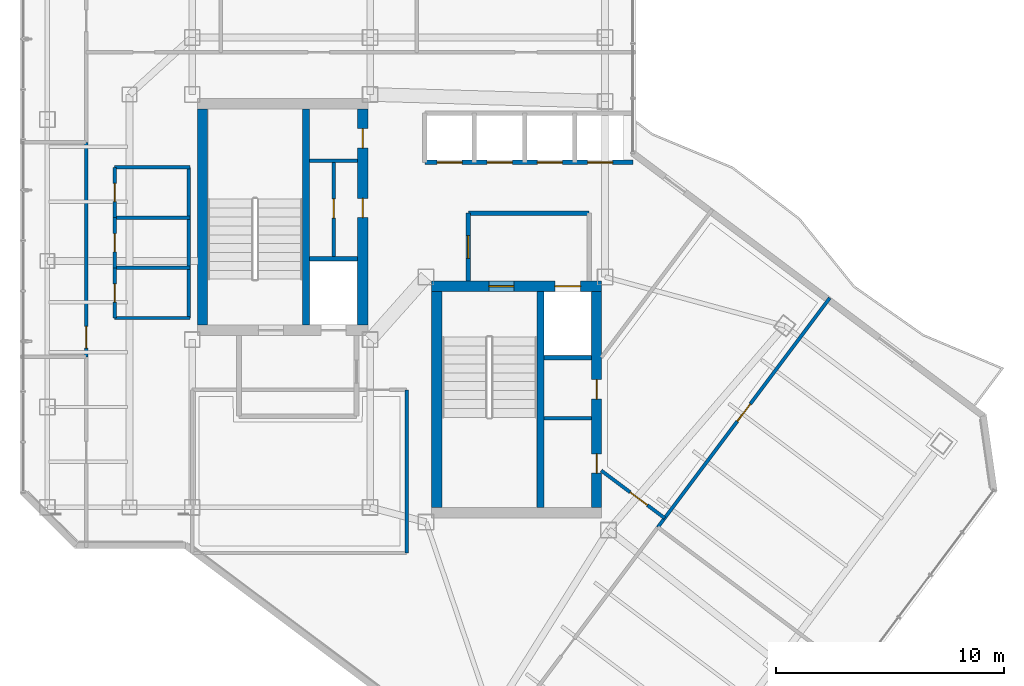
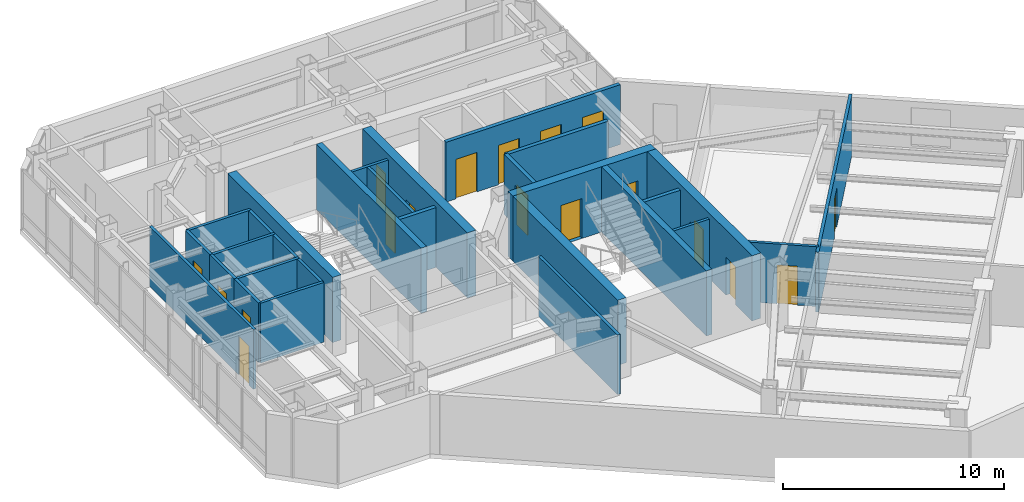
# One storey, part 20 of 25: 27 walls, 18 doors, 18 openings.
"""IFC4 building model written with IfcOpenShell, lengths in metres."""

from ifc_helpers import new_model, si_unit, direction, frame, frame_2d, origin, place, context, subcontext, project, spatial, rectangle, extrude, material, layer, layer_set, type_object, element, fill, save


model = new_model("IFC4")

# Units and contexts
model_context = context("Model", 3, precision=1e-05, world=origin(), true_north=direction((0.0, 1.0)))
body_context = subcontext(model_context, "Body", "Model", "MODEL_VIEW")
ifc_project = project(units=[si_unit("LENGTHUNIT", "METRE"), si_unit("AREAUNIT", "SQUARE_METRE"), si_unit("VOLUMEUNIT", "CUBIC_METRE"), si_unit("PLANEANGLEUNIT", "RADIAN"), si_unit("MASSUNIT", "GRAM", prefix="KILO")], contexts=[model_context])

# Site, building, storey
site_placement = place(None, origin())
site = spatial("IfcSite", under=ifc_project, at=site_placement, CompositionType="ELEMENT")
building_placement = place(site_placement, origin())
building = spatial("IfcBuilding", under=site, at=building_placement, Name="Hatsunagi Terrace Concourse", CompositionType="ELEMENT")
storey_placement = place(building_placement, frame((0.0, 0.0, 231.14990234375)))
storey = spatial("IfcBuildingStorey", under=building, at=storey_placement, Name="L61", CompositionType="ELEMENT", Elevation=231.14990234375)

# Wall
ifc_material_1 = material(Name="Concrete Fc42", Category="concrete")
ifc_layer_1 = layer(ifc_material_1, 0.449951171875)
ifc_layer_set_1 = layer_set([ifc_layer_1], Name="CoreShearWall_Fc42_450")
wall_type_1 = type_object("IfcWallType", Name="CoreShearWall_Fc42_450", PredefinedType="SHEAR", material=ifc_layer_set_1)
wall_1_placement = place(storey_placement, frame((25.9951171875, 33.18994140625, 0.0), z_axis=(0.0, 0.0, 1.0), x_axis=(0.0, 1.0, 0.0)))
element("IfcWall", 1, at=wall_1_placement, inside=storey, type_object=wall_type_1, Name="Core A Shear Wall W L61", PredefinedType="SHEAR", context=body_context, shape_type="SweptSolid", body=[
    extrude(rectangle(XDim=9.47998046875, YDim=0.449951171875, at=frame_2d((4.739990234375, 0.0))), origin(), (0.0, 0.0, 1.0), 3.60009765625),
])

# Wall, openings, doors
wall_2_placement = place(storey_placement, frame((33.02490234375, 33.18994140625, 0.0), z_axis=(0.0, 0.0, 1.0), x_axis=(0.0, 1.0, 0.0)))
wall_2 = element("IfcWall", 2, at=wall_2_placement, inside=storey, type_object=wall_type_1, Name="Core A Shear Wall E L61", PredefinedType="SHEAR", context=body_context, shape_type="SweptSolid", body=[
    extrude(rectangle(XDim=9.47998046875, YDim=0.449951171875, at=frame_2d((4.739990234375, 0.0))), origin(), (0.0, 0.0, 1.0), 3.60009765625),
])
opening_1_placement = place(wall_2_placement, frame((4.7099609375, 0.0, 0.0)))
opening_1 = element("IfcOpeningElement", 3, at=opening_1_placement, cuts=wall_2, Name="Opening DR-085", PredefinedType="OPENING", context=body_context, shape_type="SweptSolid", body=[
    extrude(rectangle(XDim=0.85009765625, YDim=2.080078125, at=frame_2d((0.425048828125, 1.0400390625))), frame((0.0, 0.23486328125, 0.0), z_axis=(0.0, -1.0, 0.0), x_axis=(1.0, 0.0, 0.0)), (0.0, 0.0, 1.0), 0.469970703125),
])
opening_2_placement = place(wall_2_placement, frame((7.760009765625, 0.0, 0.0)))
opening_2 = element("IfcOpeningElement", 4, at=opening_2_placement, cuts=wall_2, Name="Opening DR-085", PredefinedType="OPENING", context=body_context, shape_type="SweptSolid", body=[
    extrude(rectangle(XDim=0.85009765625, YDim=2.080078125, at=frame_2d((0.425048828125, 1.0400390625))), frame((0.0, 0.23486328125, 0.0), z_axis=(0.0, -1.0, 0.0), x_axis=(1.0, 0.0, 0.0)), (0.0, 0.0, 1.0), 0.469970703125),
])
ifc_material_2 = material(Name="Painted steel", Category="steel")
door_type_1 = type_object("IfcDoorType", Name="RiserAccessDoor_EI60_850", OperationType="NOTDEFINED", PredefinedType="DOOR", material=ifc_material_2)
door_1_placement = place(opening_1_placement, origin())
door_1 = element("IfcDoor", 5, at=door_1_placement, inside=storey, type_object=door_type_1, Name="Core A Riser Door L61-1", OperationType="SINGLE_SWING_LEFT", OverallHeight=2.080078125, OverallWidth=0.85009765625, PredefinedType="DOOR", context=body_context, shape_type="SweptSolid", body=[
    extrude(rectangle(XDim=0.85009765625, YDim=2.080078125, at=frame_2d((0.425048828125, 1.0400390625))), frame((0.0, 0.02490234375, 0.0), z_axis=(0.0, -1.0, 0.0), x_axis=(1.0, 0.0, 0.0)), (0.0, 0.0, 1.0), 0.050048828125),
])
fill(opening_1, door_1)
door_2_placement = place(opening_2_placement, origin())
door_2 = element("IfcDoor", 6, at=door_2_placement, inside=storey, type_object=door_type_1, Name="Core A Riser Door L61-2", OperationType="SINGLE_SWING_LEFT", OverallHeight=2.080078125, OverallWidth=0.85009765625, PredefinedType="DOOR", context=body_context, shape_type="SweptSolid", body=[
    extrude(rectangle(XDim=0.85009765625, YDim=2.080078125, at=frame_2d((0.425048828125, 1.0400390625))), frame((0.0, 0.02490234375, 0.0), z_axis=(0.0, -1.0, 0.0), x_axis=(1.0, 0.0, 0.0)), (0.0, 0.0, 1.0), 0.050048828125),
])
fill(opening_2, door_2)

wall_3_placement = place(storey_placement, frame((36.0400390625, 34.89501953125, 0.0), z_axis=(0.0, 0.0, 1.0), x_axis=(1.0, 0.0, 0.0)))
wall_3 = element("IfcWall", 7, at=wall_3_placement, inside=storey, type_object=wall_type_1, Name="Core B Shear Wall N L61", PredefinedType="SHEAR", context=body_context, shape_type="SweptSolid", body=[
    extrude(rectangle(XDim=7.4599609375, YDim=0.449951171875, at=frame_2d((3.72998046875, 0.0))), origin(), (0.0, 0.0, 1.0), 3.60009765625),
])
opening_3_placement = place(wall_3_placement, frame((2.510009765625, 0.0, 0.0)))
opening_3 = element("IfcOpeningElement", 8, at=opening_3_placement, cuts=wall_3, Name="Opening DR-110S", PredefinedType="OPENING", context=body_context, shape_type="SweptSolid", body=[
    extrude(rectangle(XDim=1.10009765625, YDim=2.199951171875, at=frame_2d((0.550048828125, 1.10009765625))), frame((0.0, 0.23486328125, 0.0), z_axis=(0.0, -1.0, 0.0), x_axis=(1.0, 0.0, 0.0)), (0.0, 0.0, 1.0), 0.469970703125),
])
opening_4_placement = place(wall_3_placement, frame((5.409912109375, 0.0, 0.0)))
opening_4 = element("IfcOpeningElement", 9, at=opening_4_placement, cuts=wall_3, Name="Opening LD-02", PredefinedType="OPENING", context=body_context, shape_type="SweptSolid", body=[
    extrude(rectangle(XDim=1.1201171875, YDim=2.14990234375, at=frame_2d((0.56005859375, 1.074951171875))), frame((0.0, 0.23486328125, 0.0), z_axis=(0.0, -1.0, 0.0), x_axis=(1.0, 0.0, 0.0)), (0.0, 0.0, 1.0), 0.469970703125),
])
ifc_material_3 = material(Name="Stainless steel", Category="steel")
door_type_2 = type_object("IfcDoorType", Name="LiftLandingDoor_LD02", OperationType="SLIDING_TO_RIGHT", PredefinedType="USERDEFINED", material=ifc_material_3)
door_3_placement = place(opening_4_placement, origin())
door_3 = element("IfcDoor", 10, at=door_3_placement, inside=storey, type_object=door_type_2, Name="Lift landing door FF-02 L61", ObjectType="SLIDING_LANDING_DOOR", OperationType="SLIDING_TO_RIGHT", OverallHeight=2.14990234375, OverallWidth=1.1201171875, PredefinedType="USERDEFINED", context=body_context, shape_type="SweptSolid", body=[
    extrude(rectangle(XDim=1.1201171875, YDim=2.14990234375, at=frame_2d((0.56005859375, 1.074951171875))), frame((0.0, 0.02490234375, 0.0), z_axis=(0.0, -1.0, 0.0), x_axis=(1.0, 0.0, 0.0)), (0.0, 0.0, 1.0), 0.050048828125),
])
fill(opening_4, door_3)
ifc_material_4 = material(Name="Painted steel", Category="steel")
door_type_3 = type_object("IfcDoorType", Name="StairFireDoor_EI60_1100", OperationType="NOTDEFINED", PredefinedType="DOOR", material=ifc_material_4)
door_4_placement = place(opening_3_placement, origin())
door_4 = element("IfcDoor", 11, at=door_4_placement, inside=storey, type_object=door_type_3, Name="Stair ST-B Exit Door L61", OperationType="SINGLE_SWING_RIGHT", OverallHeight=2.199951171875, OverallWidth=1.10009765625, PredefinedType="DOOR", context=body_context, shape_type="SweptSolid", body=[
    extrude(rectangle(XDim=1.10009765625, YDim=2.199951171875, at=frame_2d((0.550048828125, 1.10009765625))), frame((0.0, 0.02490234375, 0.0), z_axis=(0.0, -1.0, 0.0), x_axis=(1.0, 0.0, 0.0)), (0.0, 0.0, 1.0), 0.050048828125),
])
fill(opening_3, door_4)

# Wall
wall_4_placement = place(storey_placement, frame((36.264892578125, 25.18994140625, 0.0), z_axis=(0.0, 0.0, 1.0), x_axis=(0.0, 1.0, 0.0)))
element("IfcWall", 12, at=wall_4_placement, inside=storey, type_object=wall_type_1, Name="Core B Shear Wall W L61", PredefinedType="SHEAR", context=body_context, shape_type="SweptSolid", body=[
    extrude(rectangle(XDim=9.47998046875, YDim=0.449951171875, at=frame_2d((4.739990234375, 0.0))), origin(), (0.0, 0.0, 1.0), 3.60009765625),
])

# Wall, openings, doors
wall_5_placement = place(storey_placement, frame((43.27490234375, 25.18994140625, 0.0), z_axis=(0.0, 0.0, 1.0), x_axis=(0.0, 1.0, 0.0)))
wall_5 = element("IfcWall", 13, at=wall_5_placement, inside=storey, type_object=wall_type_1, Name="Core B Shear Wall E L61", PredefinedType="SHEAR", context=body_context, shape_type="SweptSolid", body=[
    extrude(rectangle(XDim=9.47998046875, YDim=0.449951171875, at=frame_2d((4.739990234375, 0.0))), origin(), (0.0, 0.0, 1.0), 3.60009765625),
])
opening_5_placement = place(wall_5_placement, frame((1.510009765625, 0.0, 0.0)))
opening_5 = element("IfcOpeningElement", 14, at=opening_5_placement, cuts=wall_5, Name="Opening DR-085", PredefinedType="OPENING", context=body_context, shape_type="SweptSolid", body=[
    extrude(rectangle(XDim=0.85009765625, YDim=2.080078125, at=frame_2d((0.425048828125, 1.0400390625))), frame((0.0, 0.23486328125, 0.0), z_axis=(0.0, -1.0, 0.0), x_axis=(1.0, 0.0, 0.0)), (0.0, 0.0, 1.0), 0.469970703125),
])
opening_6_placement = place(wall_5_placement, frame((4.760009765625, 0.0, 0.0)))
opening_6 = element("IfcOpeningElement", 15, at=opening_6_placement, cuts=wall_5, Name="Opening DR-085", PredefinedType="OPENING", context=body_context, shape_type="SweptSolid", body=[
    extrude(rectangle(XDim=0.85009765625, YDim=2.080078125, at=frame_2d((0.425048828125, 1.0400390625))), frame((0.0, 0.23486328125, 0.0), z_axis=(0.0, -1.0, 0.0), x_axis=(1.0, 0.0, 0.0)), (0.0, 0.0, 1.0), 0.469970703125),
])
door_5_placement = place(opening_5_placement, origin())
door_5 = element("IfcDoor", 16, at=door_5_placement, inside=storey, type_object=door_type_1, Name="Core B Riser Door L61-1", OperationType="SINGLE_SWING_RIGHT", OverallHeight=2.080078125, OverallWidth=0.85009765625, PredefinedType="DOOR", context=body_context, shape_type="SweptSolid", body=[
    extrude(rectangle(XDim=0.85009765625, YDim=2.080078125, at=frame_2d((0.425048828125, 1.0400390625))), frame((0.0, 0.02490234375, 0.0), z_axis=(0.0, -1.0, 0.0), x_axis=(1.0, 0.0, 0.0)), (0.0, 0.0, 1.0), 0.050048828125),
])
fill(opening_5, door_5)
door_6_placement = place(opening_6_placement, origin())
door_6 = element("IfcDoor", 17, at=door_6_placement, inside=storey, type_object=door_type_1, Name="Core B Riser Door L61-2", OperationType="SINGLE_SWING_RIGHT", OverallHeight=2.080078125, OverallWidth=0.85009765625, PredefinedType="DOOR", context=body_context, shape_type="SweptSolid", body=[
    extrude(rectangle(XDim=0.85009765625, YDim=2.080078125, at=frame_2d((0.425048828125, 1.0400390625))), frame((0.0, 0.02490234375, 0.0), z_axis=(0.0, -1.0, 0.0), x_axis=(1.0, 0.0, 0.0)), (0.0, 0.0, 1.0), 0.050048828125),
])
fill(opening_6, door_6)

# Walls
ifc_material_5 = material(Name="Concrete Fc48", Category="concrete")
ifc_layer_2 = layer(ifc_material_5, 0.300048828125)
ifc_layer_set_2 = layer_set([ifc_layer_2], Name="CoreStairDivider_Fc48_300")
wall_type_2 = type_object("IfcWallType", Name="CoreStairDivider_Fc48_300", PredefinedType="SHEAR", material=ifc_layer_set_2)
for number, where, z_axis, x_axis, name in (
    (18, (30.5400390625, 33.18994140625, 0.0), (0.0, 0.0, 1.0), (0.0, 1.0, 0.0), "Core A Shear Wall D L61"),
    (19, (40.81005859375, 25.18994140625, 0.0), (0.0, 0.0, 1.0), (0.0, 1.0, 0.0), "Core B Shear Wall D L61"),
):
    element("IfcWall", number, at=place(storey_placement, frame(where, z_axis=z_axis, x_axis=x_axis)), inside=storey, type_object=wall_type_2, Name=name, PredefinedType="SHEAR", context=body_context, shape_type="SweptSolid", body=[
        extrude(rectangle(XDim=9.47998046875, YDim=0.300048828125, at=frame_2d((4.739990234375, 0.0))), origin(), (0.0, 0.0, 1.0), 3.60009765625),
    ])

# Wall, opening, door
ifc_material_6 = material(Name="Acoustic mineral board", Category="gypsum")
ifc_layer_3 = layer(ifc_material_6, 0.14990234375)
ifc_layer_set_3 = layer_set([ifc_layer_3], Name="PartitionWall_EI60_150")
wall_type_3 = type_object("IfcWallType", Name="PartitionWall_EI60_150", PredefinedType="PARTITIONING", material=ifc_layer_set_3)
wall_6_placement = place(storey_placement, frame((31.75, 36.179931640625, 0.0), z_axis=(0.0, 0.0, 1.0), x_axis=(0.0, 1.0, 0.0)))
wall_6 = element("IfcWall", 20, at=wall_6_placement, inside=storey, type_object=wall_type_3, Name="Interior Partition IW-L61-002", PredefinedType="PARTITIONING", context=body_context, shape_type="SweptSolid", body=[
    extrude(rectangle(XDim=4.239990234375, YDim=0.14990234375, at=frame_2d((2.1201171875, 0.0))), origin(), (0.0, 0.0, 1.0), 3.300048828125),
])
opening_7_placement = place(wall_6_placement, frame((1.695068359375, 0.0, 0.0)))
opening_7 = element("IfcOpeningElement", 21, at=opening_7_placement, cuts=wall_6, Name="Opening DR-085", PredefinedType="OPENING", context=body_context, shape_type="SweptSolid", body=[
    extrude(rectangle(XDim=0.85009765625, YDim=2.080078125, at=frame_2d((0.425048828125, 1.0400390625))), frame((0.0, 0.0849609375, 0.0), z_axis=(0.0, -1.0, 0.0), x_axis=(1.0, 0.0, 0.0)), (0.0, 0.0, 1.0), 0.169921875),
])
door_7_placement = place(opening_7_placement, origin())
door_7 = element("IfcDoor", 22, at=door_7_placement, inside=storey, type_object=door_type_1, Name="Core A Sub-Riser Door L61", OperationType="SINGLE_SWING_LEFT", OverallHeight=2.080078125, OverallWidth=0.85009765625, PredefinedType="DOOR", context=body_context, shape_type="SweptSolid", body=[
    extrude(rectangle(XDim=0.85009765625, YDim=2.080078125, at=frame_2d((0.425048828125, 1.0400390625))), frame((0.0, 0.02490234375, 0.0), z_axis=(0.0, -1.0, 0.0), x_axis=(1.0, 0.0, 0.0)), (0.0, 0.0, 1.0), 0.050048828125),
])
fill(opening_7, door_7)

# Walls
wall_7_placement = place(storey_placement, frame((30.699951171875, 40.39990234375, 0.0), z_axis=(0.0, 0.0, 1.0), x_axis=(1.0, 0.0, 0.0)))
element("IfcWall", 23, at=wall_7_placement, inside=storey, type_object=wall_type_3, Name="Interior Partition IW-L61-003", PredefinedType="PARTITIONING", context=body_context, shape_type="SweptSolid", body=[
    extrude(rectangle(XDim=2.10009765625, YDim=0.14990234375, at=frame_2d((1.050048828125, 0.0))), origin(), (0.0, 0.0, 1.0), 3.300048828125),
])
wall_8_placement = place(storey_placement, frame((40.969970703125, 29.10009765625, 0.0), z_axis=(0.0, 0.0, 1.0), x_axis=(1.0, 0.0, 0.0)))
element("IfcWall", 24, at=wall_8_placement, inside=storey, type_object=wall_type_3, Name="Interior Partition IW-L61-005", PredefinedType="PARTITIONING", context=body_context, shape_type="SweptSolid", body=[
    extrude(rectangle(XDim=2.080078125, YDim=0.14990234375, at=frame_2d((1.0400390625, 0.0))), origin(), (0.0, 0.0, 1.0), 3.300048828125),
])
for number, where, z_axis, x_axis, name in (
    (25, (22.14990234375, 33.5, 0.0), (0.0, 0.0, 1.0), (1.0, 0.0, 0.0), "Interior Partition IW-L61-018"),
    (26, (22.14990234375, 40.10009765625, 0.0), (0.0, 0.0, 1.0), (1.0, 0.0, 0.0), "Interior Partition IW-L61-019"),
):
    element("IfcWall", number, at=place(storey_placement, frame(where, z_axis=z_axis, x_axis=x_axis)), inside=storey, type_object=wall_type_3, Name=name, PredefinedType="PARTITIONING", context=body_context, shape_type="SweptSolid", body=[
        extrude(rectangle(XDim=3.300048828125, YDim=0.14990234375, at=frame_2d((1.64990234375, 0.0))), origin(), (0.0, 0.0, 1.0), 3.300048828125),
    ])
wall_9_placement = place(storey_placement, frame((25.39990234375, 33.5, 0.0), z_axis=(0.0, 0.0, 1.0), x_axis=(0.0, 1.0, 0.0)))
element("IfcWall", 27, at=wall_9_placement, inside=storey, type_object=wall_type_3, Name="Interior Partition IW-L61-020", PredefinedType="PARTITIONING", context=body_context, shape_type="SweptSolid", body=[
    extrude(rectangle(XDim=6.60009765625, YDim=0.14990234375, at=frame_2d((3.300048828125, 0.0))), origin(), (0.0, 0.0, 1.0), 3.300048828125),
])
for number, where, z_axis, x_axis, name in (
    (28, (22.14990234375, 35.699951171875, 0.0), (0.0, 0.0, 1.0), (1.0, 0.0, 0.0), "Interior Partition IW-L61-021"),
    (29, (22.14990234375, 37.89990234375, 0.0), (0.0, 0.0, 1.0), (1.0, 0.0, 0.0), "Interior Partition IW-L61-022"),
):
    element("IfcWall", number, at=place(storey_placement, frame(where, z_axis=z_axis, x_axis=x_axis)), inside=storey, type_object=wall_type_3, Name=name, PredefinedType="PARTITIONING", context=body_context, shape_type="SweptSolid", body=[
        extrude(rectangle(XDim=3.300048828125, YDim=0.14990234375, at=frame_2d((1.64990234375, 0.0))), origin(), (0.0, 0.0, 1.0), 3.300048828125),
    ])

# Wall, opening, door
wall_10_placement = place(storey_placement, frame((22.14990234375, 33.5, 0.0), z_axis=(0.0, 0.0, 1.0), x_axis=(0.0, 1.0, 0.0)))
wall_10 = element("IfcWall", 30, at=wall_10_placement, inside=storey, type_object=wall_type_3, Name="Interior Partition IW-L61-023", PredefinedType="PARTITIONING", context=body_context, shape_type="SweptSolid", body=[
    extrude(rectangle(XDim=2.199951171875, YDim=0.14990234375, at=frame_2d((1.10009765625, 0.0))), origin(), (0.0, 0.0, 1.0), 3.300048828125),
])
opening_8_placement = place(wall_10_placement, frame((0.699951171875, 0.0, 0.0)))
opening_8 = element("IfcOpeningElement", 31, at=opening_8_placement, cuts=wall_10, Name="Opening DR-080", PredefinedType="OPENING", context=body_context, shape_type="SweptSolid", body=[
    extrude(rectangle(XDim=0.800048828125, YDim=2.06005859375, at=frame_2d((0.39990234375, 1.030029296875))), frame((0.0, 0.0849609375, 0.0), z_axis=(0.0, -1.0, 0.0), x_axis=(1.0, 0.0, 0.0)), (0.0, 0.0, 1.0), 0.169921875),
])
ifc_material_7 = material(Name="Hardwood timber", Category="wood")
door_type_4 = type_object("IfcDoorType", Name="BathroomDoor_800", OperationType="NOTDEFINED", PredefinedType="DOOR", material=ifc_material_7)
door_8_placement = place(opening_8_placement, origin())
door_8 = element("IfcDoor", 32, at=door_8_placement, inside=storey, type_object=door_type_4, Name="Accessible WC Door L61", OperationType="SINGLE_SWING_RIGHT", OverallHeight=2.06005859375, OverallWidth=0.800048828125, PredefinedType="DOOR", context=body_context, shape_type="SweptSolid", body=[
    extrude(rectangle(XDim=0.800048828125, YDim=2.06005859375, at=frame_2d((0.39990234375, 1.030029296875))), frame((0.0, 0.02490234375, 0.0), z_axis=(0.0, -1.0, 0.0), x_axis=(1.0, 0.0, 0.0)), (0.0, 0.0, 1.0), 0.050048828125),
])
fill(opening_8, door_8)

wall_11_placement = place(storey_placement, frame((22.14990234375, 35.699951171875, 0.0), z_axis=(0.0, 0.0, 1.0), x_axis=(0.0, 1.0, 0.0)))
wall_11 = element("IfcWall", 33, at=wall_11_placement, inside=storey, type_object=wall_type_3, Name="Interior Partition IW-L61-024", PredefinedType="PARTITIONING", context=body_context, shape_type="SweptSolid", body=[
    extrude(rectangle(XDim=2.199951171875, YDim=0.14990234375, at=frame_2d((1.10009765625, 0.0))), origin(), (0.0, 0.0, 1.0), 3.300048828125),
])
opening_9_placement = place(wall_11_placement, frame((0.699951171875, 0.0, 0.0)))
opening_9 = element("IfcOpeningElement", 34, at=opening_9_placement, cuts=wall_11, Name="Opening DR-080", PredefinedType="OPENING", context=body_context, shape_type="SweptSolid", body=[
    extrude(rectangle(XDim=0.800048828125, YDim=2.06005859375, at=frame_2d((0.39990234375, 1.030029296875))), frame((0.0, 0.0849609375, 0.0), z_axis=(0.0, -1.0, 0.0), x_axis=(1.0, 0.0, 0.0)), (0.0, 0.0, 1.0), 0.169921875),
])
door_9_placement = place(opening_9_placement, origin())
door_9 = element("IfcDoor", 35, at=door_9_placement, inside=storey, type_object=door_type_4, Name="Female Restroom Door L61", OperationType="SINGLE_SWING_RIGHT", OverallHeight=2.06005859375, OverallWidth=0.800048828125, PredefinedType="DOOR", context=body_context, shape_type="SweptSolid", body=[
    extrude(rectangle(XDim=0.800048828125, YDim=2.06005859375, at=frame_2d((0.39990234375, 1.030029296875))), frame((0.0, 0.02490234375, 0.0), z_axis=(0.0, -1.0, 0.0), x_axis=(1.0, 0.0, 0.0)), (0.0, 0.0, 1.0), 0.050048828125),
])
fill(opening_9, door_9)

wall_12_placement = place(storey_placement, frame((22.14990234375, 37.89990234375, 0.0), z_axis=(0.0, 0.0, 1.0), x_axis=(0.0, 1.0, 0.0)))
wall_12 = element("IfcWall", 36, at=wall_12_placement, inside=storey, type_object=wall_type_3, Name="Interior Partition IW-L61-025", PredefinedType="PARTITIONING", context=body_context, shape_type="SweptSolid", body=[
    extrude(rectangle(XDim=2.2001953125, YDim=0.14990234375, at=frame_2d((1.10009765625, 0.0))), origin(), (0.0, 0.0, 1.0), 3.300048828125),
])
opening_10_placement = place(wall_12_placement, frame((0.699951171875, 0.0, 0.0)))
opening_10 = element("IfcOpeningElement", 37, at=opening_10_placement, cuts=wall_12, Name="Opening DR-080", PredefinedType="OPENING", context=body_context, shape_type="SweptSolid", body=[
    extrude(rectangle(XDim=0.800048828125, YDim=2.06005859375, at=frame_2d((0.39990234375, 1.030029296875))), frame((0.0, 0.0849609375, 0.0), z_axis=(0.0, -1.0, 0.0), x_axis=(1.0, 0.0, 0.0)), (0.0, 0.0, 1.0), 0.169921875),
])
door_10_placement = place(opening_10_placement, origin())
door_10 = element("IfcDoor", 38, at=door_10_placement, inside=storey, type_object=door_type_4, Name="Male Restroom Door L61", OperationType="SINGLE_SWING_RIGHT", OverallHeight=2.06005859375, OverallWidth=0.800048828125, PredefinedType="DOOR", context=body_context, shape_type="SweptSolid", body=[
    extrude(rectangle(XDim=0.800048828125, YDim=2.06005859375, at=frame_2d((0.39990234375, 1.030029296875))), frame((0.0, 0.02490234375, 0.0), z_axis=(0.0, -1.0, 0.0), x_axis=(1.0, 0.0, 0.0)), (0.0, 0.0, 1.0), 0.050048828125),
])
fill(opening_10, door_10)

# Wall
wall_13_placement = place(storey_placement, frame((34.949951171875, 23.199951171875, 0.0), z_axis=(0.0, 0.0, 1.0), x_axis=(0.0, 1.0, 0.0)))
element("IfcWall", 39, at=wall_13_placement, inside=storey, type_object=wall_type_3, Name="Interior Partition IW-L61-029", PredefinedType="PARTITIONING", context=body_context, shape_type="SweptSolid", body=[
    extrude(rectangle(XDim=7.150146484375, YDim=0.14990234375, at=frame_2d((3.5751953125, 0.0))), origin(), (0.0, 0.0, 1.0), 3.300048828125),
])

# Wall, opening, door
wall_14_placement = place(storey_placement, frame((20.89990234375, 31.800048828125, 0.0), z_axis=(0.0, 0.0, 1.0), x_axis=(0.0, 1.0, 0.0)))
wall_14 = element("IfcWall", 40, at=wall_14_placement, inside=storey, type_object=wall_type_3, Name="Interior Partition IW-L61-033", PredefinedType="PARTITIONING", context=body_context, shape_type="SweptSolid", body=[
    extrude(rectangle(XDim=9.39990234375, YDim=0.14990234375, at=frame_2d((4.699951171875, 0.0))), origin(), (0.0, 0.0, 1.0), 3.300048828125),
])
opening_11_placement = place(wall_14_placement, frame((0.3798828125, 0.0, 0.0)))
opening_11 = element("IfcOpeningElement", 41, at=opening_11_placement, cuts=wall_14, Name="Opening DR-095", PredefinedType="OPENING", context=body_context, shape_type="SweptSolid", body=[
    extrude(rectangle(XDim=0.949951171875, YDim=2.14990234375, at=frame_2d((0.47509765625, 1.074951171875))), frame((0.0, 0.0849609375, 0.0), z_axis=(0.0, -1.0, 0.0), x_axis=(1.0, 0.0, 0.0)), (0.0, 0.0, 1.0), 0.169921875),
])
ifc_material_8 = material(Name="Hardwood timber", Category="wood")
door_type_5 = type_object("IfcDoorType", Name="InteriorSuiteDoor_EI30_950", OperationType="NOTDEFINED", PredefinedType="DOOR", material=ifc_material_8)
door_11_placement = place(opening_11_placement, origin())
door_11 = element("IfcDoor", 42, at=door_11_placement, inside=storey, type_object=door_type_5, Name="Design Studio L61-OW2 Door", OperationType="SINGLE_SWING_RIGHT", OverallHeight=2.14990234375, OverallWidth=0.949951171875, PredefinedType="DOOR", context=body_context, shape_type="SweptSolid", body=[
    extrude(rectangle(XDim=0.949951171875, YDim=2.14990234375, at=frame_2d((0.47509765625, 1.074951171875))), frame((0.0, 0.02490234375, 0.0), z_axis=(0.0, -1.0, 0.0), x_axis=(1.0, 0.0, 0.0)), (0.0, 0.0, 1.0), 0.050048828125),
])
fill(opening_11, door_11)

wall_15_placement = place(storey_placement, frame((45.9599609375, 24.330078125, 0.0), z_axis=(0.0, 0.0, 1.0), x_axis=(0.600012440253, 0.799990669659, 0.0)))
wall_15 = element("IfcWall", 43, at=wall_15_placement, inside=storey, type_object=wall_type_3, Name="Interior Partition IW-L61-042", PredefinedType="PARTITIONING", context=body_context, shape_type="SweptSolid", body=[
    extrude(rectangle(XDim=12.56005859375, YDim=0.14990234375, at=frame_2d((6.280029296875, 0.0))), origin(), (0.0, 0.0, 1.0), 3.300048828125),
])
opening_12_placement = place(wall_15_placement, frame((5.804931640625, 0.0, 0.0)))
opening_12 = element("IfcOpeningElement", 44, at=opening_12_placement, cuts=wall_15, Name="Opening DR-095", PredefinedType="OPENING", context=body_context, shape_type="SweptSolid", body=[
    extrude(rectangle(XDim=0.949951171875, YDim=2.14990234375, at=frame_2d((0.47509765625, 1.074951171875))), frame((0.0, 0.0849609375, 0.0), z_axis=(0.0, -1.0, 0.0), x_axis=(1.0, 0.0, 0.0)), (0.0, 0.0, 1.0), 0.169921875),
])
door_12_placement = place(opening_12_placement, origin())
door_12 = element("IfcDoor", 45, at=door_12_placement, inside=storey, type_object=door_type_5, Name="Research Focus Suite L61-OSE2 Door", OperationType="SINGLE_SWING_RIGHT", OverallHeight=2.14990234375, OverallWidth=0.949951171875, PredefinedType="DOOR", context=body_context, shape_type="SweptSolid", body=[
    extrude(rectangle(XDim=0.949951171875, YDim=2.14990234375, at=frame_2d((0.47509765625, 1.074951171875))), frame((0.0, 0.02490234375, 0.0), z_axis=(0.0, -1.0, 0.0), x_axis=(1.0, 0.0, 0.0)), (0.0, 0.0, 1.0), 0.050048828125),
])
fill(opening_12, door_12)

wall_16_placement = place(storey_placement, frame((43.47998046875, 26.81494140625, 0.0), z_axis=(0.0, 0.0, 1.0), x_axis=(0.800008430676, -0.599988758934, 0.0)))
wall_16 = element("IfcWall", 46, at=wall_16_placement, inside=storey, type_object=wall_type_3, Name="Interior Partition IW-L61-043", PredefinedType="PARTITIONING", context=body_context, shape_type="SweptSolid", body=[
    extrude(rectangle(XDim=3.47509765625, YDim=0.14990234375, at=frame_2d((1.737548828125, 0.0))), origin(), (0.0, 0.0, 1.0), 3.300048828125),
])
opening_13_placement = place(wall_16_placement, frame((1.580078125, 0.0, 0.0)))
opening_13 = element("IfcOpeningElement", 47, at=opening_13_placement, cuts=wall_16, Name="Opening DR-095", PredefinedType="OPENING", context=body_context, shape_type="SweptSolid", body=[
    extrude(rectangle(XDim=0.949951171875, YDim=2.14990234375, at=frame_2d((0.47509765625, 1.074951171875))), frame((0.0, 0.0849609375, 0.0), z_axis=(0.0, -1.0, 0.0), x_axis=(1.0, 0.0, 0.0)), (0.0, 0.0, 1.0), 0.169921875),
])
door_13_placement = place(opening_13_placement, origin())
door_13 = element("IfcDoor", 48, at=door_13_placement, inside=storey, type_object=door_type_5, Name="Collaboration Lounge L61-OSEN1 Door", OperationType="SINGLE_SWING_LEFT", OverallHeight=2.14990234375, OverallWidth=0.949951171875, PredefinedType="DOOR", context=body_context, shape_type="SweptSolid", body=[
    extrude(rectangle(XDim=0.949951171875, YDim=2.14990234375, at=frame_2d((0.47509765625, 1.074951171875))), frame((0.0, 0.02490234375, 0.0), z_axis=(0.0, -1.0, 0.0), x_axis=(1.0, 0.0, 0.0)), (0.0, 0.0, 1.0), 0.050048828125),
])
fill(opening_13, door_13)

# Walls
ifc_material_9 = material(Name="Acoustic mineral board", Category="gypsum")
ifc_layer_4 = layer(ifc_material_9, 0.199951171875)
ifc_layer_set_4 = layer_set([ifc_layer_4], Name="ShaftWall_EI120_200")
wall_type_4 = type_object("IfcWallType", Name="ShaftWall_EI120_200", PredefinedType="STANDARD", material=ifc_layer_set_4)
wall_17_placement = place(storey_placement, frame((30.699951171875, 36.10009765625, 0.0), z_axis=(0.0, 0.0, 1.0), x_axis=(1.0, 0.0, 0.0)))
element("IfcWall", 49, at=wall_17_placement, inside=storey, type_object=wall_type_4, Name="Interior Partition IW-L61-001", PredefinedType="STANDARD", context=body_context, shape_type="SweptSolid", body=[
    extrude(rectangle(XDim=2.10009765625, YDim=0.199951171875, at=frame_2d((1.050048828125, 0.0))), origin(), (0.0, 0.0, 1.0), 3.300048828125),
])
wall_18_placement = place(storey_placement, frame((40.969970703125, 31.760009765625, 0.0), z_axis=(0.0, 0.0, 1.0), x_axis=(1.0, 0.0, 0.0)))
element("IfcWall", 50, at=wall_18_placement, inside=storey, type_object=wall_type_4, Name="Interior Partition IW-L61-004", PredefinedType="STANDARD", context=body_context, shape_type="SweptSolid", body=[
    extrude(rectangle(XDim=2.080078125, YDim=0.199951171875, at=frame_2d((1.0400390625, 0.0))), origin(), (0.0, 0.0, 1.0), 3.300048828125),
])
wall_19_placement = place(storey_placement, frame((37.64990234375, 38.10009765625, 0.0), z_axis=(0.0, 0.0, 1.0), x_axis=(1.0, 0.0, 0.0)))
element("IfcWall", 51, at=wall_19_placement, inside=storey, type_object=wall_type_4, Name="Interior Partition IW-L61-009", PredefinedType="STANDARD", context=body_context, shape_type="SweptSolid", body=[
    extrude(rectangle(XDim=5.300048828125, YDim=0.199951171875, at=frame_2d((2.64990234375, 0.0))), origin(), (0.0, 0.0, 1.0), 3.300048828125),
])

# Wall, opening, door
wall_20_placement = place(storey_placement, frame((37.64990234375, 35.1201171875, 0.0), z_axis=(0.0, 0.0, 1.0), x_axis=(0.0, 1.0, 0.0)))
wall_20 = element("IfcWall", 52, at=wall_20_placement, inside=storey, type_object=wall_type_4, Name="Interior Partition IW-L61-011", PredefinedType="STANDARD", context=body_context, shape_type="SweptSolid", body=[
    extrude(rectangle(XDim=2.97998046875, YDim=0.199951171875, at=frame_2d((1.489990234375, 0.0))), origin(), (0.0, 0.0, 1.0), 3.300048828125),
])
opening_14_placement = place(wall_20_placement, frame((0.989990234375, 0.0, 0.0)))
opening_14 = element("IfcOpeningElement", 53, at=opening_14_placement, cuts=wall_20, Name="Opening DR-100F", PredefinedType="OPENING", context=body_context, shape_type="SweptSolid", body=[
    extrude(rectangle(XDim=1.0, YDim=2.199951171875, at=frame_2d((0.5, 1.10009765625))), frame((0.0, 0.10986328125, 0.0), z_axis=(0.0, -1.0, 0.0), x_axis=(1.0, 0.0, 0.0)), (0.0, 0.0, 1.0), 0.219970703125),
])
ifc_material_10 = material(Name="Painted steel", Category="steel")
door_type_6 = type_object("IfcDoorType", Name="FireDoor_EI60_1000", OperationType="NOTDEFINED", PredefinedType="DOOR", material=ifc_material_10)
door_14_placement = place(opening_14_placement, origin())
door_14 = element("IfcDoor", 54, at=door_14_placement, inside=storey, type_object=door_type_6, Name="Firefighting Lobby B Door L61", OperationType="SINGLE_SWING_RIGHT", OverallHeight=2.199951171875, OverallWidth=1.0, PredefinedType="DOOR", context=body_context, shape_type="SweptSolid", body=[
    extrude(rectangle(XDim=1.0, YDim=2.199951171875, at=frame_2d((0.5, 1.10009765625))), frame((0.0, 0.02490234375, 0.0), z_axis=(0.0, -1.0, 0.0), x_axis=(1.0, 0.0, 0.0)), (0.0, 0.0, 1.0), 0.050048828125),
])
fill(opening_14, door_14)

# Wall, openings, doors
wall_21_placement = place(storey_placement, frame((35.75, 40.320068359375, 0.0), z_axis=(0.0, 0.0, 1.0), x_axis=(1.0, 0.0, 0.0)))
wall_21 = element("IfcWall", 55, at=wall_21_placement, inside=storey, type_object=wall_type_4, Name="Interior Partition IW-L61-017", PredefinedType="STANDARD", context=body_context, shape_type="SweptSolid", body=[
    extrude(rectangle(XDim=9.110107421875, YDim=0.199951171875, at=frame_2d((4.55517578125, 0.0))), origin(), (0.0, 0.0, 1.0), 3.300048828125),
])
opening_15_placement = place(wall_21_placement, frame((0.530029296875, 0.0, 0.0)))
opening_15 = element("IfcOpeningElement", 56, at=opening_15_placement, cuts=wall_21, Name="Opening LD-04", PredefinedType="OPENING", context=body_context, shape_type="SweptSolid", body=[
    extrude(rectangle(XDim=1.10009765625, YDim=2.179931640625, at=frame_2d((0.550048828125, 1.08984375))), frame((0.0, 0.10986328125, 0.0), z_axis=(0.0, -1.0, 0.0), x_axis=(1.0, 0.0, 0.0)), (0.0, 0.0, 1.0), 0.219970703125),
])
opening_16_placement = place(wall_21_placement, frame((2.72998046875, 0.0, 0.0)))
opening_16 = element("IfcOpeningElement", 57, at=opening_16_placement, cuts=wall_21, Name="Opening LD-04", PredefinedType="OPENING", context=body_context, shape_type="SweptSolid", body=[
    extrude(rectangle(XDim=1.10009765625, YDim=2.179931640625, at=frame_2d((0.550048828125, 1.08984375))), frame((0.0, 0.10986328125, 0.0), z_axis=(0.0, -1.0, 0.0), x_axis=(1.0, 0.0, 0.0)), (0.0, 0.0, 1.0), 0.219970703125),
])
opening_17_placement = place(wall_21_placement, frame((4.929931640625, 0.0, 0.0)))
opening_17 = element("IfcOpeningElement", 58, at=opening_17_placement, cuts=wall_21, Name="Opening LD-04", PredefinedType="OPENING", context=body_context, shape_type="SweptSolid", body=[
    extrude(rectangle(XDim=1.10009765625, YDim=2.179931640625, at=frame_2d((0.550048828125, 1.08984375))), frame((0.0, 0.10986328125, 0.0), z_axis=(0.0, -1.0, 0.0), x_axis=(1.0, 0.0, 0.0)), (0.0, 0.0, 1.0), 0.219970703125),
])
opening_18_placement = place(wall_21_placement, frame((7.1298828125, 0.0, 0.0)))
opening_18 = element("IfcOpeningElement", 59, at=opening_18_placement, cuts=wall_21, Name="Opening LD-04", PredefinedType="OPENING", context=body_context, shape_type="SweptSolid", body=[
    extrude(rectangle(XDim=1.10009765625, YDim=2.179931640625, at=frame_2d((0.550048828125, 1.08984375))), frame((0.0, 0.10986328125, 0.0), z_axis=(0.0, -1.0, 0.0), x_axis=(1.0, 0.0, 0.0)), (0.0, 0.0, 1.0), 0.219970703125),
])
ifc_material_11 = material(Name="Stainless steel", Category="steel")
door_type_7 = type_object("IfcDoorType", Name="LiftLandingDoor_LD04", OperationType="SLIDING_TO_RIGHT", PredefinedType="USERDEFINED", material=ifc_material_11)
door_15_placement = place(opening_15_placement, origin())
door_15 = element("IfcDoor", 60, at=door_15_placement, inside=storey, type_object=door_type_7, Name="Lift landing door PL-05 L61", ObjectType="SLIDING_LANDING_DOOR", OperationType="SLIDING_TO_RIGHT", OverallHeight=2.179931640625, OverallWidth=1.10009765625, PredefinedType="USERDEFINED", context=body_context, shape_type="SweptSolid", body=[
    extrude(rectangle(XDim=1.10009765625, YDim=2.179931640625, at=frame_2d((0.550048828125, 1.08984375))), frame((0.0, 0.02490234375, 0.0), z_axis=(0.0, -1.0, 0.0), x_axis=(1.0, 0.0, 0.0)), (0.0, 0.0, 1.0), 0.050048828125),
])
fill(opening_15, door_15)
door_16_placement = place(opening_16_placement, origin())
door_16 = element("IfcDoor", 61, at=door_16_placement, inside=storey, type_object=door_type_7, Name="Lift landing door PL-06 L61", ObjectType="SLIDING_LANDING_DOOR", OperationType="SLIDING_TO_RIGHT", OverallHeight=2.179931640625, OverallWidth=1.10009765625, PredefinedType="USERDEFINED", context=body_context, shape_type="SweptSolid", body=[
    extrude(rectangle(XDim=1.10009765625, YDim=2.179931640625, at=frame_2d((0.550048828125, 1.08984375))), frame((0.0, 0.02490234375, 0.0), z_axis=(0.0, -1.0, 0.0), x_axis=(1.0, 0.0, 0.0)), (0.0, 0.0, 1.0), 0.050048828125),
])
fill(opening_16, door_16)
door_17_placement = place(opening_17_placement, origin())
door_17 = element("IfcDoor", 62, at=door_17_placement, inside=storey, type_object=door_type_7, Name="Lift landing door PL-07 L61", ObjectType="SLIDING_LANDING_DOOR", OperationType="SLIDING_TO_RIGHT", OverallHeight=2.179931640625, OverallWidth=1.10009765625, PredefinedType="USERDEFINED", context=body_context, shape_type="SweptSolid", body=[
    extrude(rectangle(XDim=1.10009765625, YDim=2.179931640625, at=frame_2d((0.550048828125, 1.08984375))), frame((0.0, 0.02490234375, 0.0), z_axis=(0.0, -1.0, 0.0), x_axis=(1.0, 0.0, 0.0)), (0.0, 0.0, 1.0), 0.050048828125),
])
fill(opening_17, door_17)
door_18_placement = place(opening_18_placement, origin())
door_18 = element("IfcDoor", 63, at=door_18_placement, inside=storey, type_object=door_type_7, Name="Lift landing door PL-08 L61", ObjectType="SLIDING_LANDING_DOOR", OperationType="SLIDING_TO_RIGHT", OverallHeight=2.179931640625, OverallWidth=1.10009765625, PredefinedType="USERDEFINED", context=body_context, shape_type="SweptSolid", body=[
    extrude(rectangle(XDim=1.10009765625, YDim=2.179931640625, at=frame_2d((0.550048828125, 1.08984375))), frame((0.0, 0.02490234375, 0.0), z_axis=(0.0, -1.0, 0.0), x_axis=(1.0, 0.0, 0.0)), (0.0, 0.0, 1.0), 0.050048828125),
])
fill(opening_18, door_18)

save(model, "model.ifc")
